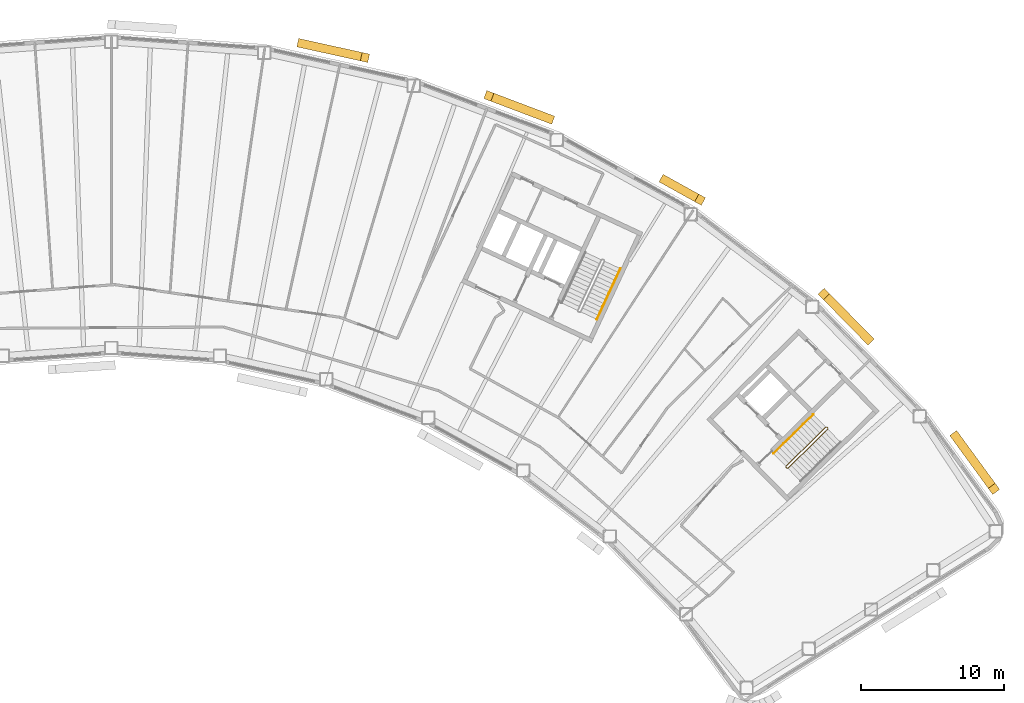
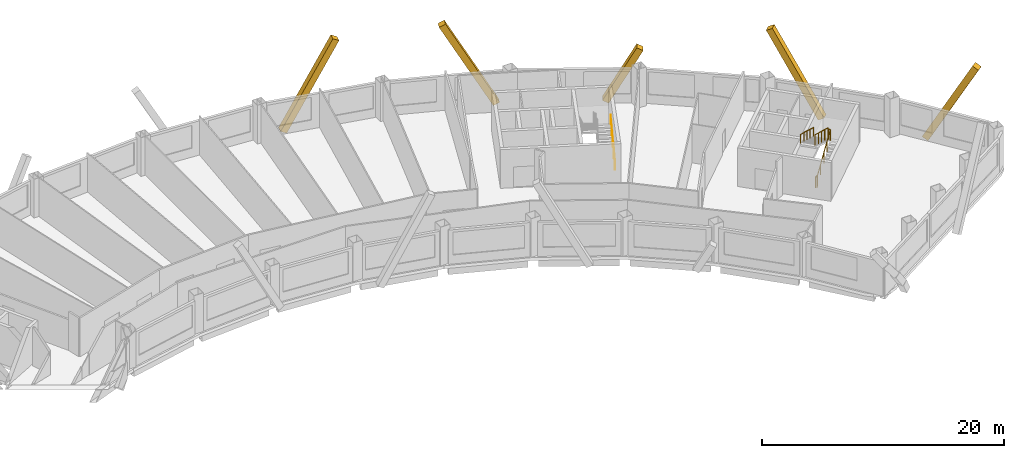
# One storey, part 13 of 13: 5 coverings, 3 railings.
"""IFC4 building model written with IfcOpenShell, lengths in metres."""

from ifc_helpers import new_model, si_unit, direction, frame, origin, origin_2d, place, context, subcontext, project, spatial, rectangle, circle, extrude, material, material_profile, profile_set, type_object, element, save


model = new_model("IFC4")

# Units and contexts
model_context = context("Model", 3, precision=1e-05, world=origin(), true_north=direction((0.0, 1.0)))
body_context = subcontext(model_context, "Body", "Model", "MODEL_VIEW")
ifc_project = project(units=[si_unit("LENGTHUNIT", "METRE"), si_unit("AREAUNIT", "SQUARE_METRE"), si_unit("VOLUMEUNIT", "CUBIC_METRE"), si_unit("PLANEANGLEUNIT", "RADIAN"), si_unit("MASSUNIT", "GRAM", prefix="KILO")], contexts=[model_context])

# Site, building, storey
site_placement = place(None, origin())
site = spatial("IfcSite", under=ifc_project, at=site_placement, CompositionType="ELEMENT")
building_placement = place(site_placement, origin())
building = spatial("IfcBuilding", under=site, at=building_placement, Name="Tuul Gate Civic Tower", CompositionType="ELEMENT")
storey_placement = place(building_placement, frame((0.0, 0.0, 188.89990234375)))
storey = spatial("IfcBuildingStorey", under=building, at=storey_placement, Name="Level 43", CompositionType="ELEMENT", Elevation=188.89990234375)

# Railings
ifc_material_1 = material(Name="Painted steel", Category="steel")
railing_type_1 = type_object("IfcRailingType", Name="Stair guard", PredefinedType="GUARDRAIL", material=ifc_material_1)
railing_1_placement = place(storey_placement, frame((48.10546875, -16.134765625, 0.0)))
element("IfcRailing", 1, at=railing_1_placement, inside=storey, type_object=railing_type_1, Name="Level 43 ST-3 stair guard 1", PredefinedType="GUARDRAIL", context=body_context, shape_type="SweptSolid", body=[
    extrude(circle(Radius=0.02392578125, at=origin_2d()), frame((0.0, 0.0, 1.076171875), z_axis=(-0.698506948293, 0.715603272202, 0.0), x_axis=(-0.715603272202, -0.698506948293, 0.0)), (0.0, 0.0, 1.0), 0.099853515625),
    extrude(circle(Radius=0.02392578125, at=origin_2d()), frame((-0.06982421875, 0.071533203125, 1.076171875), z_axis=(0.644948864628, -0.331432055434, 0.688617277337), x_axis=(0.457068866502, 0.889431307788, 0.0)), (0.0, 0.0, 1.0), 0.218017578125),
    extrude(circle(Radius=0.02392578125, at=origin_2d()), frame((0.07080078125, -0.000732421875, 1.22607421875), z_axis=(0.638731261263, 0.626133563701, 0.447190268558), x_axis=(-0.700029477518, 0.714113947914, 0.0)), (0.0, 0.0, 1.0), 4.3603515625),
    extrude(circle(Radius=0.02392578125, at=origin_2d()), frame((2.85595703125, 2.7294921875, 3.17626953125), z_axis=(0.010380063588, 0.999946125689, 0.0), x_axis=(-0.999946125689, 0.010380063588, 0.0)), (0.0, 0.0, 1.0), 0.070556640625),
    extrude(circle(Radius=0.02392578125, at=origin_2d()), frame((2.856689453125, 2.800048828125, 3.17626953125), z_axis=(-0.699754442181, 0.714383454909, 0.0), x_axis=(-0.714383454909, -0.699754442181, 0.0)), (0.0, 0.0, 1.0), 0.10009765625),
    extrude(circle(Radius=0.02392578125, at=origin_2d()), frame((2.78662109375, 2.87158203125, 3.17626953125), z_axis=(-0.427069033481, 0.004417955519, 0.904208229508), x_axis=(-0.010344274102, -0.999946496565, 0.0)), (0.0, 0.0, 1.0), 0.165771484375),
    extrude(circle(Radius=0.02392578125, at=origin_2d()), frame((2.7158203125, 2.872314453125, 3.326171875), z_axis=(-0.638715268259, -0.626117886127, 0.447235059857), x_axis=(0.700029477518, -0.714113947914, 0.0)), (0.0, 0.0, 1.0), 4.360595703125),
    extrude(circle(Radius=0.02099609375, at=origin_2d()), origin(), (0.0, 0.0, 1.0), 1.052001953125),
    extrude(circle(Radius=0.02099609375, at=origin_2d()), frame((-0.06982421875, 0.071533203125, 0.0)), (0.0, 0.0, 1.0), 1.052001953125),
    extrude(circle(Radius=0.02099609375, at=origin_2d()), frame((0.07080078125, -0.000732421875, 0.150146484375)), (0.0, 0.0, 1.0), 1.052001953125),
    extrude(circle(Radius=0.02099609375, at=origin_2d()), frame((0.76708984375, 0.681884765625, 0.6376953125)), (0.0, 0.0, 1.0), 1.052001953125),
    extrude(circle(Radius=0.02099609375, at=origin_2d()), frame((1.46337890625, 1.3642578125, 1.125)), (0.0, 0.0, 1.0), 1.052001953125),
    extrude(circle(Radius=0.02099609375, at=origin_2d()), frame((2.15966796875, 2.046875, 1.612548828125)), (0.0, 0.0, 1.0), 1.052001953125),
    extrude(circle(Radius=0.02099609375, at=origin_2d()), frame((2.85595703125, 2.7294921875, 2.10009765625)), (0.0, 0.0, 1.0), 1.052001953125),
    extrude(circle(Radius=0.02099609375, at=origin_2d()), frame((2.856689453125, 2.800048828125, 2.10009765625)), (0.0, 0.0, 1.0), 1.052001953125),
    extrude(circle(Radius=0.02099609375, at=origin_2d()), frame((2.78662109375, 2.87158203125, 2.10009765625)), (0.0, 0.0, 1.0), 1.052001953125),
    extrude(circle(Radius=0.02099609375, at=origin_2d()), frame((2.7158203125, 2.872314453125, 2.25)), (0.0, 0.0, 1.0), 1.052001953125),
    extrude(circle(Radius=0.02099609375, at=origin_2d()), frame((2.01953125, 2.189697265625, 2.737548828125)), (0.0, 0.0, 1.0), 1.052001953125),
    extrude(circle(Radius=0.02099609375, at=origin_2d()), frame((1.3232421875, 1.50732421875, 3.22509765625)), (0.0, 0.0, 1.0), 1.052001953125),
    extrude(circle(Radius=0.02099609375, at=origin_2d()), frame((0.626953125, 0.82470703125, 3.712646484375)), (0.0, 0.0, 1.0), 1.052001953125),
    extrude(circle(Radius=0.02099609375, at=origin_2d()), frame((-0.0693359375, 0.14208984375, 4.2001953125)), (0.0, 0.0, 1.0), 1.052001953125),
])
ifc_material_2 = material(Name="Painted steel", Category="steel")
railing_type_2 = type_object("IfcRailingType", Name="Stair handrail", PredefinedType="HANDRAIL", material=ifc_material_2)
railing_2_placement = place(storey_placement, frame((49.9462890625, -12.369873046875, 2.25)))
element("IfcRailing", 2, at=railing_2_placement, inside=storey, type_object=railing_type_2, Name="Level 43 ST-3 stair handrail 2", PredefinedType="HANDRAIL", context=body_context, shape_type="SweptSolid", body=[
    extrude(circle(Radius=0.02392578125, at=origin_2d()), frame((0.0, 0.0, 0.8759765625), z_axis=(-0.638737658801, -0.626083844733, 0.447250737947), x_axis=(0.699997553204, -0.714145241186, 0.0)), (0.0, 0.0, 1.0), 4.3603515625),
    extrude(circle(Radius=0.02099609375, at=origin_2d()), origin(), (0.0, 0.0, 1.0), 0.851806640625),
    extrude(circle(Radius=0.02099609375, at=origin_2d()), frame((-0.6962890625, -0.6826171875, 0.487548828125)), (0.0, 0.0, 1.0), 0.851806640625),
    extrude(circle(Radius=0.02099609375, at=origin_2d()), frame((-1.392578125, -1.364990234375, 0.97509765625)), (0.0, 0.0, 1.0), 0.851806640625),
    extrude(circle(Radius=0.02099609375, at=origin_2d()), frame((-2.0888671875, -2.04736328125, 1.462646484375)), (0.0, 0.0, 1.0), 0.851806640625),
    extrude(circle(Radius=0.02099609375, at=origin_2d()), frame((-2.78515625, -2.72998046875, 1.9501953125)), (0.0, 0.0, 1.0), 0.851806640625),
])
railing_3_placement = place(storey_placement, frame((34.844970703125, -5.74267578125, 0.150146484375)))
element("IfcRailing", 3, at=railing_3_placement, inside=storey, type_object=railing_type_2, Name="Level 43 ST-4 stair handrail 1", PredefinedType="HANDRAIL", context=body_context, shape_type="SweptSolid", body=[
    extrude(circle(Radius=0.02392578125, at=origin_2d()), frame((0.0, 0.0, 0.8759765625), z_axis=(0.377994896215, 0.810636958585, 0.447199709091), x_axis=(-0.906312636903, 0.422607861012, 0.0)), (0.0, 0.0, 1.0), 4.3603515625),
    extrude(circle(Radius=0.02099609375, at=origin_2d()), origin(), (0.0, 0.0, 1.0), 0.851806640625),
    extrude(circle(Radius=0.02099609375, at=origin_2d()), frame((0.412109375, 0.8837890625, 0.487548828125)), (0.0, 0.0, 1.0), 0.851806640625),
    extrude(circle(Radius=0.02099609375, at=origin_2d()), frame((0.82421875, 1.767333984375, 0.97509765625)), (0.0, 0.0, 1.0), 0.851806640625),
    extrude(circle(Radius=0.02099609375, at=origin_2d()), frame((1.236083984375, 2.65087890625, 1.46240234375)), (0.0, 0.0, 1.0), 0.851806640625),
    extrude(circle(Radius=0.02099609375, at=origin_2d()), frame((1.648193359375, 3.53466796875, 1.949951171875)), (0.0, 0.0, 1.0), 0.851806640625),
])

# Coverings
ifc_material_3 = material(Name="Terracotta baguette", Category="masonry")
ifc_material_profile = material_profile(ifc_material_3, rectangle(XDim=0.60009765625, YDim=0.60009765625, at=origin_2d()), Name="Terracotta baguette screen frame")
ifc_profile_set = profile_set([ifc_material_profile], Name="Terracotta baguette")
covering_type = type_object("IfcCoveringType", Name="Terracotta baguette screen frame", PredefinedType="CLADDING", material=ifc_profile_set)
covering_1_placement = place(storey_placement, frame((62.549560546875, -17.56884765625, 8.050048828125), z_axis=(-0.281344263108, 0.385258232812, -0.878875133148), x_axis=(-0.807581408805, -0.589756109042, 0.0)))
element("IfcCovering", 4, at=covering_1_placement, inside=storey, type_object=covering_type, Name="Baguette 19", PredefinedType="CLADDING", context=body_context, shape_type="SweptSolid", body=[
    extrude(rectangle(XDim=0.60009765625, YDim=0.60009765625, at=origin_2d()), origin(), (0.0, 0.0, 1.0), 9.5576171875),
])
covering_2_placement = place(storey_placement, frame((50.68359375, -3.97314453125, 7.88232421875), z_axis=(0.332633387091, -0.339313715568, -0.879898421535), x_axis=(0.714101368885, 0.700042309404, 0.0)))
element("IfcCovering", 5, at=covering_2_placement, inside=storey, type_object=covering_type, Name="Baguette 35", PredefinedType="CLADDING", context=body_context, shape_type="SweptSolid", body=[
    extrude(rectangle(XDim=0.60009765625, YDim=0.60009765625, at=origin_2d()), origin(), (0.0, 0.0, 1.0), 9.355712890625),
])
covering_3_placement = place(storey_placement, frame((42.050048828125, 2.6005859375, 4.923828125), z_axis=(-0.415607388071, 0.230349875482, -0.879891717114), x_axis=(-0.484769274332, -0.874642070028, 0.0)))
element("IfcCovering", 6, at=covering_3_placement, inside=storey, type_object=covering_type, Name="Baguette 42", PredefinedType="CLADDING", context=body_context, shape_type="SweptSolid", body=[
    extrude(rectangle(XDim=0.60009765625, YDim=0.60009765625, at=origin_2d()), origin(), (0.0, 0.0, 1.0), 5.99365234375),
])
covering_4_placement = place(storey_placement, frame((27.31640625, 9.843994140625, 8.050048828125), z_axis=(0.444449007562, -0.168071746228, -0.879895998284), x_axis=(0.353711403676, 0.935354608108, 0.0)))
element("IfcCovering", 7, at=covering_4_placement, inside=storey, type_object=covering_type, Name="Baguette 56", PredefinedType="CLADDING", context=body_context, shape_type="SweptSolid", body=[
    extrude(rectangle(XDim=0.60009765625, YDim=0.60009765625, at=origin_2d()), origin(), (0.0, 0.0, 1.0), 9.54638671875),
])
covering_5_placement = place(storey_placement, frame((18.6728515625, 12.523193359375, 8.050048828125), z_axis=(-0.464036772307, 0.102269663955, -0.879892487627), x_axis=(-0.215226248943, -0.976564212823, 0.0)))
element("IfcCovering", 8, at=covering_5_placement, inside=storey, type_object=covering_type, Name="Baguette 61", PredefinedType="CLADDING", context=body_context, shape_type="SweptSolid", body=[
    extrude(rectangle(XDim=0.60009765625, YDim=0.60009765625, at=origin_2d()), origin(), (0.0, 0.0, 1.0), 9.546630859375),
])

save(model, "model.ifc")
